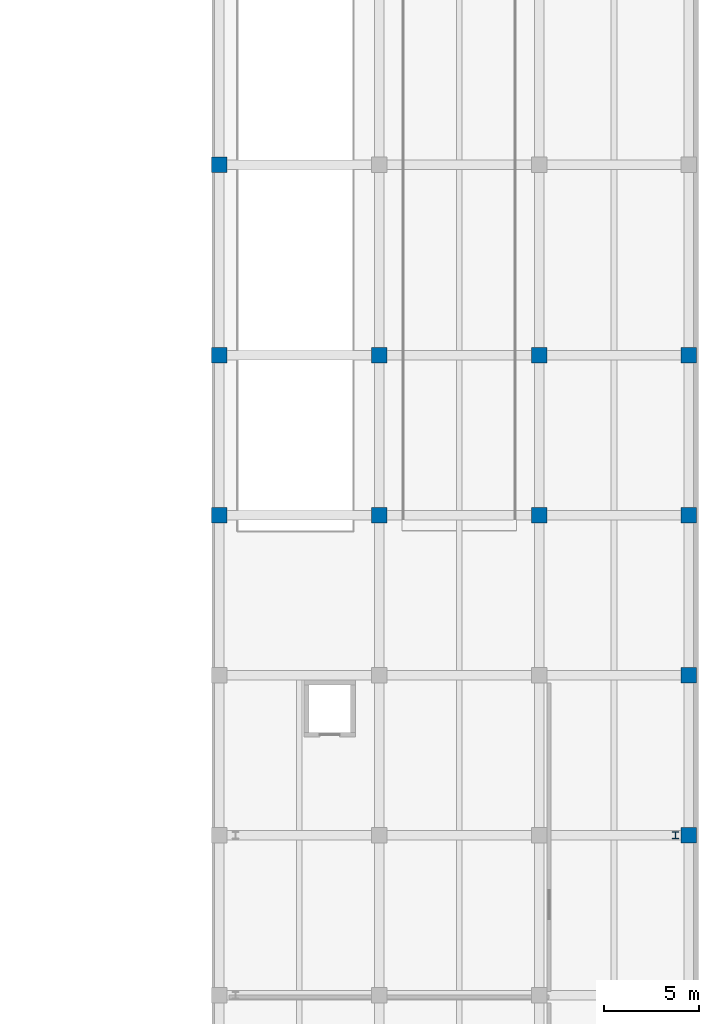
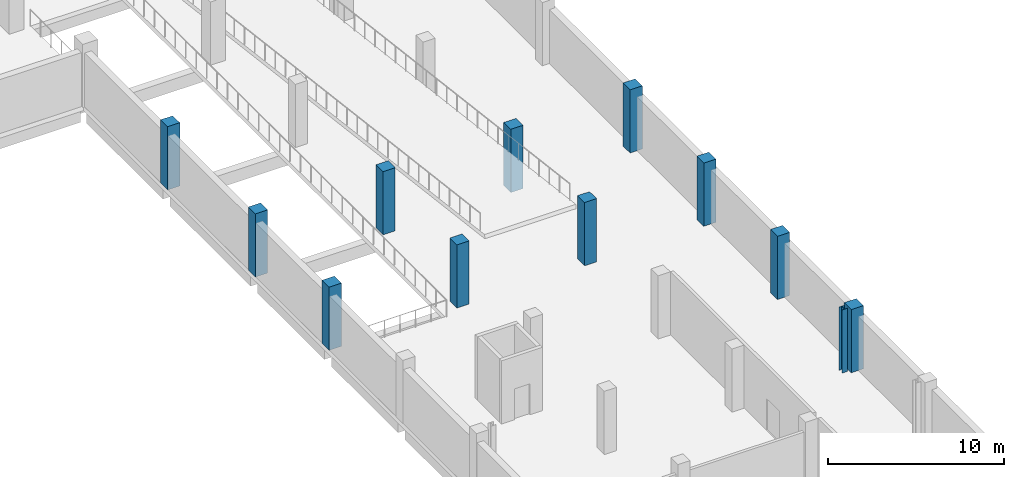
# One storey, part 3 of 17: 12 columns.
"""IFC4 building model written with IfcOpenShell, lengths in metres."""

import ifcopenshell
import ifcopenshell.guid

model = None  # the IFC model being written
_history = None  # IfcOwnerHistory: only IFC2X3 demands one
_inside = {}  # id of a spatial element -> (the spatial element, [elements in it])
_under = {}  # id of a project, library or spatial element -> (it, [spatial elements below it])
_declared = {}  # id of a project -> (the project, [libraries it declares])
_typed = {}  # id of a type object -> (the type object, [elements of that type])
_made_of = {}  # id of a material, layer set ... -> (it, [elements and type objects made of it])


def new_model(schema):
    """Start an empty IFC model of exactly this schema.

    Asked for "IFC4X3", IfcOpenShell would pick the latest addendum, in which some entities
    have other attributes; the version numbers below select the first issue.
    IFC2X3 requires an IfcOwnerHistory on every rooted entity: one is made here for all.
    """
    global model, _history
    if schema == "IFC4X3":
        model = ifcopenshell.file(schema_version=(4, 3, 0, 0))
    else:
        model = ifcopenshell.file(schema=schema)
    _inside.clear()
    _under.clear()
    _declared.clear()
    _typed.clear()
    _made_of.clear()
    _history = None
    if model.schema == "IFC2X3":
        org = make("IfcOrganization", Name="unknown")
        user = make(
            "IfcPersonAndOrganization",
            ThePerson=make("IfcPerson", FamilyName="unknown"),
            TheOrganization=org,
        )
        app = make(
            "IfcApplication",
            ApplicationDeveloper=org,
            Version="unknown",
            ApplicationFullName="unknown",
            ApplicationIdentifier="unknown",
        )
        _history = make(
            "IfcOwnerHistory",
            OwningUser=user,
            OwningApplication=app,
            ChangeAction="ADDED",
            CreationDate=0,
        )
    return model


def make(cls, **values):
    """One entity of the class cls with the attributes given. An attribute that is None is left unset."""
    return model.create_entity(
        cls, **{name: value for name, value in values.items() if value is not None}
    )


def rooted(cls, **values):
    """An entity with a GlobalId (a new one), such as an element, a storey or a relation."""
    return make(cls, GlobalId=ifcopenshell.guid.new(), OwnerHistory=_history, **values)


def si_unit(unit_type, name, prefix=None):
    """IfcSIUnit, for example si_unit("LENGTHUNIT", "METRE", prefix="MILLI")."""
    return make("IfcSIUnit", UnitType=unit_type, Prefix=prefix, Name=name)


def assignment(units):
    """IfcUnitAssignment: the units of a project."""
    return None if units is None else make("IfcUnitAssignment", Units=units)


def point(xyz):
    """IfcCartesianPoint."""
    return None if xyz is None else make("IfcCartesianPoint", Coordinates=xyz)


def direction(xyz):
    """IfcDirection."""
    return None if xyz is None else make("IfcDirection", DirectionRatios=xyz)


def frame(location, z_axis=None, x_axis=None):
    """IfcAxis2Placement3D, a coordinate frame: its origin and axes. An axis left out is left unset."""
    return make(
        "IfcAxis2Placement3D",
        Location=point(location),
        Axis=direction(z_axis),
        RefDirection=direction(x_axis),
    )


def frame_2d(location, x_axis=None):
    """IfcAxis2Placement2D, a coordinate frame in the plane: its origin and x axis."""
    return make(
        "IfcAxis2Placement2D", Location=point(location), RefDirection=direction(x_axis)
    )


def origin():
    """The frame at (0, 0, 0) with its axes left unset."""
    return frame((0.0, 0.0, 0.0))


def origin_2d():
    """The frame at (0, 0) in the plane with its x axis left unset."""
    return frame_2d((0.0, 0.0))


def place(relative_to, where):
    """IfcLocalPlacement: puts the frame where relative to a parent placement (None: the world)."""
    return make(
        "IfcLocalPlacement", PlacementRelTo=relative_to, RelativePlacement=where
    )


def context(
    kind, dimensions, precision=None, world=None, true_north=None, identifier=None
):
    """IfcGeometricRepresentationContext, for example the 3D "Model" context."""
    return make(
        "IfcGeometricRepresentationContext",
        ContextIdentifier=identifier,
        ContextType=kind,
        CoordinateSpaceDimension=dimensions,
        Precision=precision,
        WorldCoordinateSystem=world,
        TrueNorth=true_north,
    )


def subcontext(parent, identifier, kind, view, scale=None):
    """IfcGeometricRepresentationSubContext, for example "Body" below "Model"."""
    return make(
        "IfcGeometricRepresentationSubContext",
        ContextIdentifier=identifier,
        ContextType=kind,
        ParentContext=parent,
        TargetScale=scale,
        TargetView=view,
    )


def project(units=None, contexts=None):
    """IfcProject with its units and contexts."""
    return rooted(
        "IfcProject",
        Name="project",
        RepresentationContexts=contexts,
        UnitsInContext=assignment(units),
    )


def spatial(cls, under=None, at=None, **own):
    """A site, building, storey or space (cls), placed at a placement, below another one or the project."""
    s = rooted(cls, ObjectPlacement=at, **own)
    if under is not None:
        _under.setdefault(under.id(), (under, []))[1].append(s)
    return s


def profile(cls, at=None, kind="AREA", **sizes):
    """A parametric profile (cls). Its sizes go by their IFC names, for example OverallWidth=200.0."""
    return make(cls, ProfileType=kind, Position=at, **sizes)


def rectangle(**sizes):
    """IfcRectangleProfileDef."""
    return profile("IfcRectangleProfileDef", **sizes)


def i_section(**sizes):
    """IfcIShapeProfileDef."""
    return profile("IfcIShapeProfileDef", **sizes)


def extrude(swept, where, along, depth):
    """IfcExtrudedAreaSolid: the profile swept, set in the frame where, extruded along a direction by depth."""
    return make(
        "IfcExtrudedAreaSolid",
        SweptArea=swept,
        Position=where,
        ExtrudedDirection=direction(along),
        Depth=depth,
    )


def shape(context_of_items, identifier, shape_type, items):
    """IfcShapeRepresentation: the items that make up one representation, for example the "Body"."""
    return make(
        "IfcShapeRepresentation",
        ContextOfItems=context_of_items,
        RepresentationIdentifier=identifier,
        RepresentationType=shape_type,
        Items=items,
    )


def material(Name=None, Category=None):
    """IfcMaterial."""
    return make("IfcMaterial", Name=Name, Category=Category)


def material_profile(
    of_material, cross_section, Name=None, Category=None, Priority=None
):
    """IfcMaterialProfile: a cross section and its material."""
    return make(
        "IfcMaterialProfile",
        Name=Name,
        Material=of_material,
        Profile=cross_section,
        Priority=Priority,
        Category=Category,
    )


def profile_set(profiles, Name=None, composite=None):
    """IfcMaterialProfileSet."""
    return make(
        "IfcMaterialProfileSet",
        Name=Name,
        MaterialProfiles=profiles,
        CompositeProfile=composite,
    )


def made_of(thing, what):
    """Note that an element or type object is made of a material, layer set ...; save() writes the relation."""
    if what is not None:
        _made_of.setdefault(what.id(), (what, []))[1].append(thing)
    return thing


def type_object(cls, material=None, **own):
    """A type object (cls), such as IfcWallType, which elements share."""
    return made_of(rooted(cls, **own), material)


def element(
    cls,
    number,
    at=None,
    inside=None,
    cuts=None,
    type_object=None,
    material=None,
    context=None,
    identifier="Body",
    shape_type=None,
    held_by="IfcProductDefinitionShape",
    body=None,
    shapes=None,
    **own,
):
    """One element of the class cls, such as IfcWall. Its Tag is "e" and its number.

    at: its placement. inside: the storey or other place that contains it. cuts: it is an
    opening in that element (IfcRelVoidsElement). A single representation is given by context,
    identifier, shape_type and body (its items); several are given by shapes. held_by: the class
    of the entity that holds the representations. save() writes the other relations.
    """
    e = rooted(cls, Tag="e%d" % number, ObjectPlacement=at, **own)
    if body is not None:
        shapes = [shape(context, identifier, shape_type, body)]
    if shapes is not None:
        e.Representation = make(held_by, Representations=shapes)
    if inside is not None:
        _inside.setdefault(inside.id(), (inside, []))[1].append(e)
    if cuts is not None:
        rooted(
            "IfcRelVoidsElement", RelatingBuildingElement=cuts, RelatedOpeningElement=e
        )
    if type_object is not None:
        _typed.setdefault(type_object.id(), (type_object, []))[1].append(e)
    return made_of(e, material)


def aggregate(whole, parts):
    """IfcRelAggregates: a whole, such as a stair, and the parts it consists of."""
    return rooted("IfcRelAggregates", RelatingObject=whole, RelatedObjects=parts)


def save(model, path):
    """Write the relations noted so far, then the file.

    IfcRelAggregates (storeys below a building ...), IfcRelContainedInSpatialStructure (elements
    in a storey), IfcRelDefinesByType, IfcRelAssociatesMaterial and IfcRelDeclares: one each for
    every whole, place, type object, material and project.
    """
    for whole, parts in _under.values():
        aggregate(whole, parts)
    for where, things in _inside.values():
        rooted(
            "IfcRelContainedInSpatialStructure",
            RelatedElements=things,
            RelatingStructure=where,
        )
    for kind, things in _typed.values():
        rooted("IfcRelDefinesByType", RelatedObjects=things, RelatingType=kind)
    for what, things in _made_of.values():
        rooted("IfcRelAssociatesMaterial", RelatedObjects=things, RelatingMaterial=what)
    for by, libraries in _declared.values():
        rooted("IfcRelDeclares", RelatingContext=by, RelatedDefinitions=libraries)
    model.write(path)


model = new_model("IFC4")

# Units and contexts
model_context = context("Model", 3, precision=1e-05, world=origin(), true_north=direction((0.0, 1.0)))
body_context = subcontext(model_context, "Body", "Model", "MODEL_VIEW")
ifc_project = project(units=[si_unit("LENGTHUNIT", "METRE"), si_unit("AREAUNIT", "SQUARE_METRE"), si_unit("VOLUMEUNIT", "CUBIC_METRE"), si_unit("PLANEANGLEUNIT", "RADIAN"), si_unit("MASSUNIT", "GRAM", prefix="KILO")], contexts=[model_context])

# Site, building, storey
site_placement = place(None, origin())
site = spatial("IfcSite", under=ifc_project, at=site_placement, CompositionType="ELEMENT")
building_placement = place(site_placement, origin())
building = spatial("IfcBuilding", under=site, at=building_placement, Name="Brinegate Botanical Conservatory", CompositionType="ELEMENT")
storey_placement = place(building_placement, frame((0.0, 0.0, -4.800048828125)))
storey = spatial("IfcBuildingStorey", under=building, at=storey_placement, Name="B1", CompositionType="ELEMENT", Elevation=-4.800048828125)

# Columns
ifc_material_1 = material(Name="Structural steel Q355B / S355", Category="steel")
ifc_material_profile_1 = material_profile(ifc_material_1, i_section(OverallWidth=0.35009765625, OverallDepth=0.35009765625, WebThickness=0.011962890625, FlangeThickness=0.01904296875, at=origin_2d()), Name="HW 350x350x12x19")
ifc_profile_set_1 = profile_set([ifc_material_profile_1], Name="Structural steel Q355B / S355")
column_type_1 = type_object("IfcColumnType", Name="Col_C-S1", PredefinedType="COLUMN", material=ifc_profile_set_1)
column_placement = place(storey_placement, frame((162.75, 33.60009765625, 0.0), z_axis=(0.0, 0.0, 1.0), x_axis=(1.0, 0.0, 0.0)))
element("IfcColumn", 1, at=column_placement, inside=storey, type_object=column_type_1, Name="Auditorium truss bearing column E4 B1", PredefinedType="COLUMN", context=body_context, shape_type="SweptSolid", body=[
    extrude(i_section(OverallWidth=0.35009765625, OverallDepth=0.35009765625, WebThickness=0.011962890625, FlangeThickness=0.01904296875, at=origin_2d()), origin(), (0.0, 0.0, 1.0), 4.39501953125),
])
ifc_material_2 = material(Name="Concrete C40/50", Category="concrete")
ifc_material_profile_2 = material_profile(ifc_material_2, rectangle(XDim=0.800048828125, YDim=0.800048828125, at=origin_2d()), Name="RC COL 800x800")
ifc_profile_set_2 = profile_set([ifc_material_profile_2], Name="Concrete C40/50")
column_type_2 = type_object("IfcColumnType", Name="Col_C-W1", PredefinedType="COLUMN", material=ifc_profile_set_2)
for number, where, z_axis, x_axis, name in (
    (2, (138.800048828125, 50.39990234375, 0.0), (0.0, 0.0, 1.0), (1.0, 0.0, 0.0), "Column C-W1 B1 G-18"),
    (3, (138.800048828125, 58.800048828125, 0.0), (0.0, 0.0, 1.0), (1.0, 0.0, 0.0), "Column C-W1 B1 H-18"),
    (4, (138.800048828125, 68.800048828125, 0.0), (0.0, 0.0, 1.0), (1.0, 0.0, 0.0), "Column C-W1 B1 J-18"),
    (5, (147.199951171875, 50.39990234375, 0.0), (0.0, 0.0, 1.0), (1.0, 0.0, 0.0), "Column C-W1 B1 G-19"),
    (6, (147.199951171875, 58.800048828125, 0.0), (0.0, 0.0, 1.0), (1.0, 0.0, 0.0), "Column C-W1 B1 H-19"),
    (7, (155.60009765625, 50.39990234375, 0.0), (0.0, 0.0, 1.0), (1.0, 0.0, 0.0), "Column C-W1 B1 G-20"),
    (8, (155.60009765625, 58.800048828125, 0.0), (0.0, 0.0, 1.0), (1.0, 0.0, 0.0), "Column C-W1 B1 H-20"),
    (9, (163.449951171875, 33.60009765625, 0.0), (0.0, 0.0, 1.0), (1.0, 0.0, 0.0), "Column C-W1 B1 E-21"),
    (10, (163.449951171875, 42.0, 0.0), (0.0, 0.0, 1.0), (1.0, 0.0, 0.0), "Column C-W1 B1 F-21"),
    (11, (163.449951171875, 50.39990234375, 0.0), (0.0, 0.0, 1.0), (1.0, 0.0, 0.0), "Column C-W1 B1 G-21"),
    (12, (163.449951171875, 58.800048828125, 0.0), (0.0, 0.0, 1.0), (1.0, 0.0, 0.0), "Column C-W1 B1 H-21"),
):
    element("IfcColumn", number, at=place(storey_placement, frame(where, z_axis=z_axis, x_axis=x_axis)), inside=storey, type_object=column_type_2, Name=name, PredefinedType="COLUMN", context=body_context, shape_type="SweptSolid", body=[
        extrude(rectangle(XDim=0.800048828125, YDim=0.800048828125, at=origin_2d()), origin(), (0.0, 0.0, 1.0), 4.39501953125),
    ])

save(model, "model.ifc")
